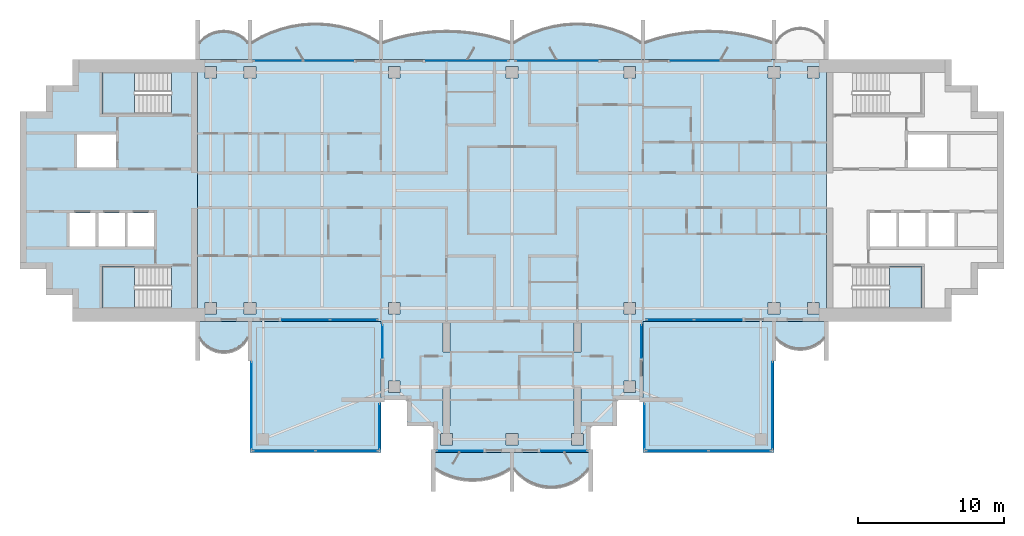
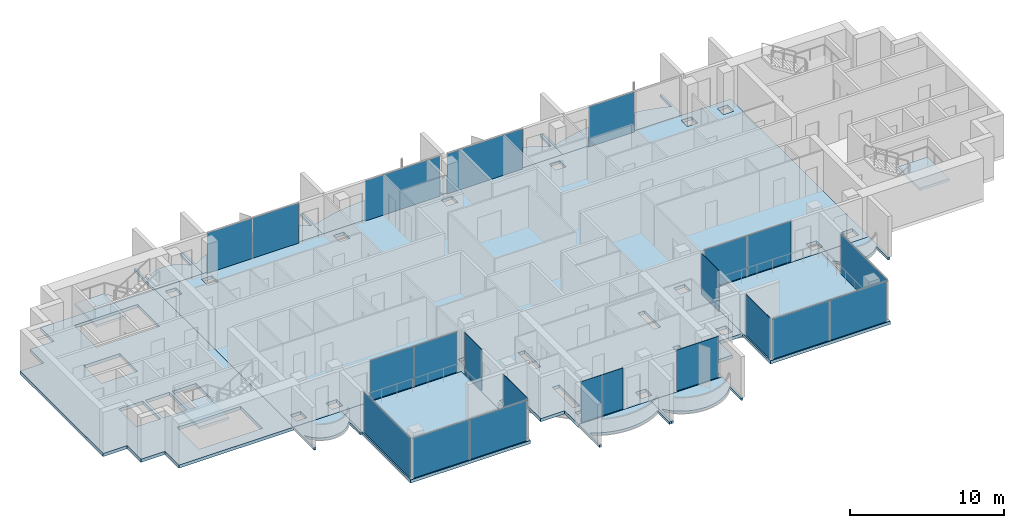
# One storey, part 5 of 16: 21 plates, 16 slabs, 19 elements without a shape of their own.
"""IFC4 building model written with IfcOpenShell, lengths in metres."""

from ifc_helpers import new_model, si_unit, direction, frame, origin, origin_2d, place, context, subcontext, project, spatial, polyline, rectangle, outline, extrude, material, layer, layer_set, type_object, element, aggregate, save


model = new_model("IFC4")

# Units and contexts
model_context = context("Model", 3, precision=1e-05, world=origin(), true_north=direction((0.0, 1.0)))
body_context = subcontext(model_context, "Body", "Model", "MODEL_VIEW")
ifc_project = project(units=[si_unit("LENGTHUNIT", "METRE"), si_unit("AREAUNIT", "SQUARE_METRE"), si_unit("VOLUMEUNIT", "CUBIC_METRE"), si_unit("PLANEANGLEUNIT", "RADIAN"), si_unit("MASSUNIT", "GRAM", prefix="KILO")], contexts=[model_context])

# Site, building, storey
site_placement = place(None, origin())
site = spatial("IfcSite", under=ifc_project, at=site_placement, CompositionType="ELEMENT")
building_placement = place(site_placement, origin())
building = spatial("IfcBuilding", under=site, at=building_placement, Name="Perihelion Cross Residences", CompositionType="ELEMENT")
storey_placement = place(building_placement, frame((0.0, 0.0, 274.5)))
storey = spatial("IfcBuildingStorey", under=building, at=storey_placement, Name="L70", CompositionType="ELEMENT", Elevation=274.5)

# Slabs
ifc_material_1 = material(Name="Concrete C40/50", Category="concrete")
ifc_layer_1 = layer(ifc_material_1, 0.199951171875)
ifc_layer_set_1 = layer_set([ifc_layer_1], Name="Balcony slab 200")
slab_type_1 = type_object("IfcSlabType", Name="Balcony slab 200", PredefinedType="FLOOR", material=ifc_layer_set_1)
slab_1_placement = place(storey_placement, frame((0.0, 0.0, -0.199951171875)))
element("IfcSlab", 1, at=slab_1_placement, inside=storey, type_object=slab_type_1, Name="Slab BK1 L70 east side north bay 2 balcony", PredefinedType="FLOOR", context=body_context, shape_type="SweptSolid", body=[
    extrude(outline(polyline([(18.0, 9.0), (9.0, 9.0), (9.0, 11.699951171875), (9.14990234375, 11.699951171875), (9.14990234375, 10.199951171875), (10.02001953125, 10.47509765625), (10.889892578125, 10.68505859375), (11.760009765625, 10.8330078125), (12.6298828125, 10.9208984375), (13.5, 10.949951171875), (14.3701171875, 10.9208984375), (15.239990234375, 10.8330078125), (16.110107421875, 10.68505859375), (16.97998046875, 10.47509765625), (17.85009765625, 10.199951171875), (17.85009765625, 11.699951171875), (18.0, 11.699951171875), (18.0, 9.0)])), origin(), (0.0, 0.0, 1.0), 0.199951171875),
])
slab_2_placement = place(storey_placement, frame((0.0, 0.0, -0.199951171875)))
element("IfcSlab", 2, at=slab_2_placement, inside=storey, type_object=slab_type_1, Name="Slab BK1 L70 north side east bay 1 balcony", PredefinedType="FLOOR", context=body_context, shape_type="SweptSolid", body=[
    extrude(outline(polyline([(9.0, 9.0), (0.0, 9.0), (0.0, 11.699951171875), (0.14990234375, 11.699951171875), (0.14990234375, 10.199951171875), (0.8193359375, 10.57666015625), (1.488525390625, 10.87646484375), (2.15771484375, 11.108154296875), (2.826904296875, 11.27734375), (3.49609375, 11.38818359375), (4.165283203125, 11.443115234375), (4.834716796875, 11.443115234375), (5.50390625, 11.38818359375), (6.173095703125, 11.27734375), (6.84228515625, 11.108154296875), (7.511474609375, 10.87646484375), (8.1806640625, 10.57666015625), (8.85009765625, 10.199951171875), (8.85009765625, 11.699951171875), (9.0, 11.699951171875), (9.0, 9.0)])), origin(), (0.0, 0.0, 1.0), 0.199951171875),
])
slab_3_placement = place(storey_placement, frame((0.0, 0.0, -0.199951171875)))
element("IfcSlab", 3, at=slab_3_placement, inside=storey, type_object=slab_type_1, Name="Slab BK1 L70 north side east bay 2 balcony", PredefinedType="FLOOR", context=body_context, shape_type="SweptSolid", body=[
    extrude(outline(polyline([(0.0, 9.0), (-9.0, 9.0), (-9.0, 11.699951171875), (-8.85009765625, 11.699951171875), (-8.85009765625, 10.199951171875), (-7.97998046875, 10.47509765625), (-7.110107421875, 10.68505859375), (-6.239990234375, 10.8330078125), (-5.3701171875, 10.9208984375), (-4.5, 10.949951171875), (-3.6298828125, 10.9208984375), (-2.760009765625, 10.8330078125), (-1.889892578125, 10.68505859375), (-1.02001953125, 10.47509765625), (-0.14990234375, 10.199951171875), (-0.14990234375, 11.699951171875), (0.0, 11.699951171875), (0.0, 9.0)])), origin(), (0.0, 0.0, 1.0), 0.199951171875),
])
slab_4_placement = place(storey_placement, frame((0.0, 0.0, -0.199951171875)))
element("IfcSlab", 4, at=slab_4_placement, inside=storey, type_object=slab_type_1, Name="Slab BK1 L70 west side north bay 1 balcony", PredefinedType="FLOOR", context=body_context, shape_type="SweptSolid", body=[
    extrude(outline(polyline([(-9.0, 9.0), (-18.0, 9.0), (-18.0, 11.699951171875), (-17.85009765625, 11.699951171875), (-17.85009765625, 10.199951171875), (-17.1806640625, 10.57666015625), (-16.511474609375, 10.87646484375), (-15.84228515625, 11.108154296875), (-15.173095703125, 11.27734375), (-14.50390625, 11.38818359375), (-13.834716796875, 11.443115234375), (-13.165283203125, 11.443115234375), (-12.49609375, 11.38818359375), (-11.826904296875, 11.27734375), (-11.15771484375, 11.108154296875), (-10.488525390625, 10.87646484375), (-9.8193359375, 10.57666015625), (-9.14990234375, 10.199951171875), (-9.14990234375, 11.699951171875), (-9.0, 11.699951171875), (-9.0, 9.0)])), origin(), (0.0, 0.0, 1.0), 0.199951171875),
])
slab_5_placement = place(storey_placement, frame((0.0, 0.0, -0.199951171875)))
element("IfcSlab", 5, at=slab_5_placement, inside=storey, type_object=slab_type_1, Name="Slab BK1 L70 west side north bay 2 balcony", PredefinedType="FLOOR", context=body_context, shape_type="SweptSolid", body=[
    extrude(outline(polyline([(-18.0, 9.0), (-21.60009765625, 9.0), (-21.60009765625, 11.699951171875), (-21.449951171875, 11.699951171875), (-21.449951171875, 10.199951171875), (-21.1201171875, 10.507568359375), (-20.7900390625, 10.71337890625), (-20.4599609375, 10.84814453125), (-20.1298828125, 10.925048828125), (-19.800048828125, 10.949951171875), (-19.469970703125, 10.925048828125), (-19.139892578125, 10.84814453125), (-18.81005859375, 10.71337890625), (-18.47998046875, 10.507568359375), (-18.14990234375, 10.199951171875), (-18.14990234375, 11.699951171875), (-18.0, 11.699951171875), (-18.0, 9.0)])), origin(), (0.0, 0.0, 1.0), 0.199951171875),
])
slab_6_placement = place(storey_placement, frame((0.0, 0.0, -0.199951171875)))
element("IfcSlab", 6, at=slab_6_placement, inside=storey, type_object=slab_type_1, Name="Slab BK1 L70 west side south bay 1 balcony", PredefinedType="FLOOR", context=body_context, shape_type="SweptSolid", body=[
    extrude(outline(polyline([(-21.60009765625, -9.0), (-18.0, -9.0), (-18.0, -11.699951171875), (-18.14990234375, -11.699951171875), (-18.14990234375, -10.199951171875), (-18.425048828125, -10.568603515625), (-18.699951171875, -10.806396484375), (-18.97509765625, -10.96875), (-19.25, -11.07568359375), (-19.52490234375, -11.136962890625), (-19.800048828125, -11.156982421875), (-20.074951171875, -11.136962890625), (-20.35009765625, -11.07568359375), (-20.625, -10.96875), (-20.89990234375, -10.806396484375), (-21.175048828125, -10.568603515625), (-21.449951171875, -10.199951171875), (-21.449951171875, -11.699951171875), (-21.60009765625, -11.699951171875), (-21.60009765625, -9.0)])), origin(), (0.0, 0.0, 1.0), 0.199951171875),
])
slab_7_placement = place(storey_placement, frame((0.0, 0.0, -0.199951171875)))
element("IfcSlab", 7, at=slab_7_placement, inside=storey, type_object=slab_type_1, Name="Slab BK1 L70 south tip south bay 1 balcony", PredefinedType="FLOOR", context=body_context, shape_type="SweptSolid", body=[
    extrude(outline(polyline([(-5.39990234375, -18.0), (0.0, -18.0), (0.0, -20.699951171875), (-0.14990234375, -20.699951171875), (-0.14990234375, -19.199951171875), (-0.659912109375, -19.4853515625), (-1.169921875, -19.694580078125), (-1.679931640625, -19.838134765625), (-2.18994140625, -19.92236328125), (-2.699951171875, -19.949951171875), (-3.2099609375, -19.92236328125), (-3.719970703125, -19.838134765625), (-4.22998046875, -19.694580078125), (-4.739990234375, -19.4853515625), (-5.25, -19.199951171875), (-5.25, -20.699951171875), (-5.39990234375, -20.699951171875), (-5.39990234375, -18.0)])), origin(), (0.0, 0.0, 1.0), 0.199951171875),
])
slab_8_placement = place(storey_placement, frame((0.0, 0.0, -0.199951171875)))
element("IfcSlab", 8, at=slab_8_placement, inside=storey, type_object=slab_type_1, Name="Slab BK1 L70 south tip south bay 2 balcony", PredefinedType="FLOOR", context=body_context, shape_type="SweptSolid", body=[
    extrude(outline(polyline([(0.0, -18.0), (5.39990234375, -18.0), (5.39990234375, -20.699951171875), (5.25, -20.699951171875), (5.25, -19.199951171875), (4.857666015625, -19.622314453125), (4.46533203125, -19.924072265625), (4.072998046875, -20.143310546875), (3.6806640625, -20.29736328125), (3.28857421875, -20.39599609375), (2.896240234375, -20.444091796875), (2.50390625, -20.444091796875), (2.111572265625, -20.39599609375), (1.71923828125, -20.29736328125), (1.326904296875, -20.143310546875), (0.9345703125, -19.924072265625), (0.542236328125, -19.622314453125), (0.14990234375, -19.199951171875), (0.14990234375, -20.699951171875), (0.0, -20.699951171875), (0.0, -18.0)])), origin(), (0.0, 0.0, 1.0), 0.199951171875),
])
slab_9_placement = place(storey_placement, frame((0.0, 0.0, -0.199951171875)))
element("IfcSlab", 9, at=slab_9_placement, inside=storey, type_object=slab_type_1, Name="Slab BK1 L70 east side south bay 2 balcony", PredefinedType="FLOOR", context=body_context, shape_type="SweptSolid", body=[
    extrude(outline(polyline([(18.0, -9.0), (21.60009765625, -9.0), (21.60009765625, -11.699951171875), (21.449951171875, -11.699951171875), (21.449951171875, -10.199951171875), (21.1201171875, -10.507568359375), (20.7900390625, -10.71337890625), (20.4599609375, -10.84814453125), (20.1298828125, -10.925048828125), (19.800048828125, -10.949951171875), (19.469970703125, -10.925048828125), (19.139892578125, -10.84814453125), (18.81005859375, -10.71337890625), (18.47998046875, -10.507568359375), (18.14990234375, -10.199951171875), (18.14990234375, -11.699951171875), (18.0, -11.699951171875), (18.0, -9.0)])), origin(), (0.0, 0.0, 1.0), 0.199951171875),
])

# Curtain wall, plate
ifc_material_2 = material(Name="Bronze anodised aluminium, tinted glazing", Category="aluminium")
curtain_wall_type_1 = type_object("IfcCurtainWallType", Name="CW1", PredefinedType="NOTDEFINED", material=ifc_material_2)
curtain_wall_1_placement = place(storey_placement, origin())
curtain_wall_1 = element("IfcCurtainWall", 10, at=curtain_wall_1_placement, inside=storey, type_object=curtain_wall_type_1, Name="Curtain wall CW1 L70 east side north bay 2", PredefinedType="NOTDEFINED")
ifc_material_3 = material(Name="Tinted laminated glass", Category="glass")
ifc_layer_2 = layer(ifc_material_3, 0.028076171875)
ifc_layer_set_2 = layer_set([ifc_layer_2], Name="CW1 panel")
plate_type_1 = type_object("IfcPlateType", Name="CW1 panel", PredefinedType="CURTAIN_PANEL", material=ifc_layer_set_2)
plate_1_placement = place(storey_placement, frame((12.610107421875, 8.89990234375, 0.0), z_axis=(0.0, 0.0, 1.0), x_axis=(-1.0, 0.0, 0.0)))
plate_1 = element("IfcPlate", 11, at=plate_1_placement, type_object=plate_type_1, Name="CW1 panel 2", PredefinedType="CURTAIN_PANEL", context=body_context, shape_type="SweptSolid", body=[
    extrude(rectangle(XDim=3.419921875, YDim=0.028076171875, at=origin_2d()), origin(), (0.0, 0.0, 1.0), 3.18994140625),
])
aggregate(curtain_wall_1, [plate_1])

curtain_wall_2_placement = place(storey_placement, origin())
curtain_wall_2 = element("IfcCurtainWall", 12, at=curtain_wall_2_placement, inside=storey, type_object=curtain_wall_type_1, Name="Curtain wall CW1 L70 north side east bay 1", PredefinedType="NOTDEFINED")
plate_2_placement = place(storey_placement, frame((3.080078125, 8.89990234375, 0.0), z_axis=(0.0, 0.0, 1.0), x_axis=(-1.0, 0.0, 0.0)))
plate_2 = element("IfcPlate", 13, at=plate_2_placement, type_object=plate_type_1, Name="CW1 panel 1", PredefinedType="CURTAIN_PANEL", context=body_context, shape_type="SweptSolid", body=[
    extrude(rectangle(XDim=5.639892578125, YDim=0.028076171875, at=origin_2d()), origin(), (0.0, 0.0, 1.0), 3.18994140625),
])
aggregate(curtain_wall_2, [plate_2])

curtain_wall_3_placement = place(storey_placement, origin())
curtain_wall_3 = element("IfcCurtainWall", 14, at=curtain_wall_3_placement, inside=storey, type_object=curtain_wall_type_1, Name="Curtain wall CW1 L70 north side east bay 2", PredefinedType="NOTDEFINED")
plate_3_placement = place(storey_placement, frame((-3.080078125, 8.89990234375, 0.0), z_axis=(0.0, 0.0, 1.0), x_axis=(-1.0, 0.0, 0.0)))
plate_3 = element("IfcPlate", 15, at=plate_3_placement, type_object=plate_type_1, Name="CW1 panel 1", PredefinedType="CURTAIN_PANEL", context=body_context, shape_type="SweptSolid", body=[
    extrude(rectangle(XDim=5.639892578125, YDim=0.028076171875, at=origin_2d()), origin(), (0.0, 0.0, 1.0), 3.18994140625),
])
aggregate(curtain_wall_3, [plate_3])

# Curtain wall, plates
curtain_wall_4_placement = place(storey_placement, origin())
curtain_wall_4 = element("IfcCurtainWall", 16, at=curtain_wall_4_placement, inside=storey, type_object=curtain_wall_type_1, Name="Curtain wall CW1 L70 west side north bay 1", PredefinedType="NOTDEFINED")
plate_4_placement = place(storey_placement, frame((-12.610107421875, 8.89990234375, 0.0), z_axis=(0.0, 0.0, 1.0), x_axis=(-1.0, 0.0, 0.0)))
plate_4 = element("IfcPlate", 17, at=plate_4_placement, type_object=plate_type_1, Name="CW1 panel 1", PredefinedType="CURTAIN_PANEL", context=body_context, shape_type="SweptSolid", body=[
    extrude(rectangle(XDim=3.419921875, YDim=0.028076171875, at=origin_2d()), origin(), (0.0, 0.0, 1.0), 3.18994140625),
])
plate_5_placement = place(storey_placement, frame((-16.06005859375, 8.89990234375, 0.0), z_axis=(0.0, 0.0, 1.0), x_axis=(-1.0, 0.0, 0.0)))
plate_5 = element("IfcPlate", 18, at=plate_5_placement, type_object=plate_type_1, Name="CW1 panel 2", PredefinedType="CURTAIN_PANEL", context=body_context, shape_type="SweptSolid", body=[
    extrude(rectangle(XDim=3.360107421875, YDim=0.028076171875, at=origin_2d()), origin(), (0.0, 0.0, 1.0), 3.18994140625),
])
aggregate(curtain_wall_4, [plate_4, plate_5])

curtain_wall_5_placement = place(storey_placement, origin())
curtain_wall_5 = element("IfcCurtainWall", 19, at=curtain_wall_5_placement, inside=storey, type_object=curtain_wall_type_1, Name="Curtain wall CW1 L70 west side south bay 2", PredefinedType="NOTDEFINED")
plate_6_placement = place(storey_placement, frame((-14.1650390625, -8.89990234375, 0.0), z_axis=(0.0, 0.0, 1.0), x_axis=(1.0, 0.0, 0.0)))
plate_6 = element("IfcPlate", 20, at=plate_6_placement, type_object=plate_type_1, Name="CW1 panel 1", PredefinedType="CURTAIN_PANEL", context=body_context, shape_type="SweptSolid", body=[
    extrude(rectangle(XDim=3.27001953125, YDim=0.028076171875, at=origin_2d()), origin(), (0.0, 0.0, 1.0), 3.18994140625),
])
plate_7_placement = place(storey_placement, frame((-10.864990234375, -8.89990234375, 0.0), z_axis=(0.0, 0.0, 1.0), x_axis=(1.0, 0.0, 0.0)))
plate_7 = element("IfcPlate", 21, at=plate_7_placement, type_object=plate_type_1, Name="CW1 panel 2", PredefinedType="CURTAIN_PANEL", context=body_context, shape_type="SweptSolid", body=[
    extrude(rectangle(XDim=3.2099609375, YDim=0.028076171875, at=origin_2d()), origin(), (0.0, 0.0, 1.0), 3.18994140625),
])
aggregate(curtain_wall_5, [plate_6, plate_7])

# Curtain wall, plate
curtain_wall_6_placement = place(storey_placement, origin())
curtain_wall_6 = element("IfcCurtainWall", 22, at=curtain_wall_6_placement, inside=storey, type_object=curtain_wall_type_1, Name="Curtain wall CW1 L70 south side west bay 1", PredefinedType="NOTDEFINED")
plate_8_placement = place(storey_placement, frame((-8.89990234375, -10.3798828125, 0.0), z_axis=(0.0, 0.0, 1.0), x_axis=(0.0, -1.0, 0.0)))
plate_8 = element("IfcPlate", 23, at=plate_8_placement, type_object=plate_type_1, Name="CW1 panel 1", PredefinedType="CURTAIN_PANEL", context=body_context, shape_type="SweptSolid", body=[
    extrude(rectangle(XDim=2.239990234375, YDim=0.028076171875, at=origin_2d()), origin(), (0.0, 0.0, 1.0), 3.25),
])
aggregate(curtain_wall_6, [plate_8])

curtain_wall_7_placement = place(storey_placement, origin())
curtain_wall_7 = element("IfcCurtainWall", 24, at=curtain_wall_7_placement, inside=storey, type_object=curtain_wall_type_1, Name="Curtain wall CW1 L70 south tip south bay 1", PredefinedType="NOTDEFINED")
plate_9_placement = place(storey_placement, frame((-3.570068359375, -17.89990234375, 0.0), z_axis=(0.0, 0.0, 1.0), x_axis=(1.0, 0.0, 0.0)))
plate_9 = element("IfcPlate", 25, at=plate_9_placement, type_object=plate_type_1, Name="CW1 panel 1", PredefinedType="CURTAIN_PANEL", context=body_context, shape_type="SweptSolid", body=[
    extrude(rectangle(XDim=3.139892578125, YDim=0.028076171875, at=origin_2d()), origin(), (0.0, 0.0, 1.0), 3.25),
])
aggregate(curtain_wall_7, [plate_9])

curtain_wall_8_placement = place(storey_placement, origin())
curtain_wall_8 = element("IfcCurtainWall", 26, at=curtain_wall_8_placement, inside=storey, type_object=curtain_wall_type_1, Name="Curtain wall CW1 L70 south tip south bay 2", PredefinedType="NOTDEFINED")
plate_10_placement = place(storey_placement, frame((3.570068359375, -17.89990234375, 0.0), z_axis=(0.0, 0.0, 1.0), x_axis=(1.0, 0.0, 0.0)))
plate_10 = element("IfcPlate", 27, at=plate_10_placement, type_object=plate_type_1, Name="CW1 panel 1", PredefinedType="CURTAIN_PANEL", context=body_context, shape_type="SweptSolid", body=[
    extrude(rectangle(XDim=3.139892578125, YDim=0.028076171875, at=origin_2d()), origin(), (0.0, 0.0, 1.0), 3.25),
])
aggregate(curtain_wall_8, [plate_10])

curtain_wall_9_placement = place(storey_placement, origin())
curtain_wall_9 = element("IfcCurtainWall", 28, at=curtain_wall_9_placement, inside=storey, type_object=curtain_wall_type_1, Name="Curtain wall CW1 L70 south side east bay 1", PredefinedType="NOTDEFINED")
plate_11_placement = place(storey_placement, frame((8.89990234375, -10.3798828125, 0.0), z_axis=(0.0, 0.0, 1.0), x_axis=(0.0, 1.0, 0.0)))
plate_11 = element("IfcPlate", 29, at=plate_11_placement, type_object=plate_type_1, Name="CW1 panel 1", PredefinedType="CURTAIN_PANEL", context=body_context, shape_type="SweptSolid", body=[
    extrude(rectangle(XDim=2.239990234375, YDim=0.028076171875, at=origin_2d()), origin(), (0.0, 0.0, 1.0), 3.25),
])
aggregate(curtain_wall_9, [plate_11])

# Curtain wall, plates
curtain_wall_10_placement = place(storey_placement, origin())
curtain_wall_10 = element("IfcCurtainWall", 30, at=curtain_wall_10_placement, inside=storey, type_object=curtain_wall_type_1, Name="Curtain wall CW1 L70 east side south bay 1", PredefinedType="NOTDEFINED")
plate_12_placement = place(storey_placement, frame((10.864990234375, -8.89990234375, 0.0), z_axis=(0.0, 0.0, 1.0), x_axis=(1.0, 0.0, 0.0)))
plate_12 = element("IfcPlate", 31, at=plate_12_placement, type_object=plate_type_1, Name="CW1 panel 1", PredefinedType="CURTAIN_PANEL", context=body_context, shape_type="SweptSolid", body=[
    extrude(rectangle(XDim=3.2099609375, YDim=0.028076171875, at=origin_2d()), origin(), (0.0, 0.0, 1.0), 3.18994140625),
])
plate_13_placement = place(storey_placement, frame((14.1650390625, -8.89990234375, 0.0), z_axis=(0.0, 0.0, 1.0), x_axis=(1.0, 0.0, 0.0)))
plate_13 = element("IfcPlate", 32, at=plate_13_placement, type_object=plate_type_1, Name="CW1 panel 2", PredefinedType="CURTAIN_PANEL", context=body_context, shape_type="SweptSolid", body=[
    extrude(rectangle(XDim=3.27001953125, YDim=0.028076171875, at=origin_2d()), origin(), (0.0, 0.0, 1.0), 3.18994140625),
])
aggregate(curtain_wall_10, [plate_12, plate_13])

# Curtain wall, plate
ifc_material_4 = material(Name="Bronze anodised aluminium, tinted glazing", Category="aluminium")
curtain_wall_type_2 = type_object("IfcCurtainWallType", Name="CW4", PredefinedType="NOTDEFINED", material=ifc_material_4)
curtain_wall_11_placement = place(storey_placement, origin())
curtain_wall_11 = element("IfcCurtainWall", 33, at=curtain_wall_11_placement, inside=storey, type_object=curtain_wall_type_2, Name="Curtain wall CW4 L70 pocket south-east 1 1", PredefinedType="NOTDEFINED")
ifc_material_5 = material(Name="Tinted laminated glass", Category="glass")
ifc_layer_3 = layer(ifc_material_5, 0.030029296875)
ifc_layer_set_3 = layer_set([ifc_layer_3], Name="CW4 panel")
plate_type_2 = type_object("IfcPlateType", Name="CW4 panel", PredefinedType="CURTAIN_PANEL", material=ifc_layer_set_3)
plate_14_placement = place(storey_placement, frame((17.89990234375, -14.784912109375, 0.0), z_axis=(0.0, 0.0, 1.0), x_axis=(0.0, -1.0, 0.0)))
plate_14 = element("IfcPlate", 34, at=plate_14_placement, type_object=plate_type_2, Name="CW4 panel 1", PredefinedType="CURTAIN_PANEL", context=body_context, shape_type="SweptSolid", body=[
    extrude(rectangle(XDim=5.969970703125, YDim=0.030029296875, at=origin_2d()), origin(), (0.0, 0.0, 1.0), 3.18994140625),
])
aggregate(curtain_wall_11, [plate_14])

# Curtain wall, plates
curtain_wall_12_placement = place(storey_placement, origin())
curtain_wall_12 = element("IfcCurtainWall", 35, at=curtain_wall_12_placement, inside=storey, type_object=curtain_wall_type_2, Name="Curtain wall CW4 L70 pocket south-east 1 2", PredefinedType="NOTDEFINED")
plate_15_placement = place(storey_placement, frame((15.64990234375, -17.89990234375, 0.0), z_axis=(0.0, 0.0, 1.0), x_axis=(-1.0, 0.0, 0.0)))
plate_15 = element("IfcPlate", 36, at=plate_15_placement, type_object=plate_type_2, Name="CW4 panel 1", PredefinedType="CURTAIN_PANEL", context=body_context, shape_type="SweptSolid", body=[
    extrude(rectangle(XDim=4.239990234375, YDim=0.030029296875, at=origin_2d()), origin(), (0.0, 0.0, 1.0), 3.18994140625),
])
plate_16_placement = place(storey_placement, frame((11.35009765625, -17.89990234375, 0.0), z_axis=(0.0, 0.0, 1.0), x_axis=(-1.0, 0.0, 0.0)))
plate_16 = element("IfcPlate", 37, at=plate_16_placement, type_object=plate_type_2, Name="CW4 panel 2", PredefinedType="CURTAIN_PANEL", context=body_context, shape_type="SweptSolid", body=[
    extrude(rectangle(XDim=4.239990234375, YDim=0.030029296875, at=origin_2d()), origin(), (0.0, 0.0, 1.0), 3.18994140625),
])
aggregate(curtain_wall_12, [plate_15, plate_16])

# Curtain wall, plate
curtain_wall_13_placement = place(storey_placement, origin())
curtain_wall_13 = element("IfcCurtainWall", 38, at=curtain_wall_13_placement, inside=storey, type_object=curtain_wall_type_2, Name="Curtain wall CW4 L70 pocket south-east 1 3", PredefinedType="NOTDEFINED")
plate_17_placement = place(storey_placement, frame((9.10009765625, -16.2294921875, 0.0), z_axis=(0.0, 0.0, 1.0), x_axis=(0.0, 1.0, 0.0)))
plate_17 = element("IfcPlate", 39, at=plate_17_placement, type_object=plate_type_2, Name="CW4 panel 1", PredefinedType="CURTAIN_PANEL", context=body_context, shape_type="SweptSolid", body=[
    extrude(rectangle(XDim=3.0810546875, YDim=0.030029296875, at=origin_2d()), origin(), (0.0, 0.0, 1.0), 3.25),
])
aggregate(curtain_wall_13, [plate_17])

curtain_wall_14_placement = place(storey_placement, origin())
curtain_wall_14 = element("IfcCurtainWall", 40, at=curtain_wall_14_placement, inside=storey, type_object=curtain_wall_type_2, Name="Curtain wall CW4 L70 pocket south-west 1 1", PredefinedType="NOTDEFINED")
plate_18_placement = place(storey_placement, frame((-9.10009765625, -16.2294921875, 0.0), z_axis=(0.0, 0.0, 1.0), x_axis=(0.0, -1.0, 0.0)))
plate_18 = element("IfcPlate", 41, at=plate_18_placement, type_object=plate_type_2, Name="CW4 panel 1", PredefinedType="CURTAIN_PANEL", context=body_context, shape_type="SweptSolid", body=[
    extrude(rectangle(XDim=3.0810546875, YDim=0.030029296875, at=origin_2d()), origin(), (0.0, 0.0, 1.0), 3.25),
])
aggregate(curtain_wall_14, [plate_18])

# Curtain wall, plates
curtain_wall_15_placement = place(storey_placement, origin())
curtain_wall_15 = element("IfcCurtainWall", 42, at=curtain_wall_15_placement, inside=storey, type_object=curtain_wall_type_2, Name="Curtain wall CW4 L70 pocket south-west 1 2", PredefinedType="NOTDEFINED")
plate_19_placement = place(storey_placement, frame((-11.35009765625, -17.89990234375, 0.0), z_axis=(0.0, 0.0, 1.0), x_axis=(-1.0, 0.0, 0.0)))
plate_19 = element("IfcPlate", 43, at=plate_19_placement, type_object=plate_type_2, Name="CW4 panel 1", PredefinedType="CURTAIN_PANEL", context=body_context, shape_type="SweptSolid", body=[
    extrude(rectangle(XDim=4.239990234375, YDim=0.030029296875, at=origin_2d()), origin(), (0.0, 0.0, 1.0), 3.18994140625),
])
plate_20_placement = place(storey_placement, frame((-15.64990234375, -17.89990234375, 0.0), z_axis=(0.0, 0.0, 1.0), x_axis=(-1.0, 0.0, 0.0)))
plate_20 = element("IfcPlate", 44, at=plate_20_placement, type_object=plate_type_2, Name="CW4 panel 2", PredefinedType="CURTAIN_PANEL", context=body_context, shape_type="SweptSolid", body=[
    extrude(rectangle(XDim=4.239990234375, YDim=0.030029296875, at=origin_2d()), origin(), (0.0, 0.0, 1.0), 3.18994140625),
])
aggregate(curtain_wall_15, [plate_19, plate_20])

# Curtain wall, plate
curtain_wall_16_placement = place(storey_placement, origin())
curtain_wall_16 = element("IfcCurtainWall", 45, at=curtain_wall_16_placement, inside=storey, type_object=curtain_wall_type_2, Name="Curtain wall CW4 L70 pocket south-west 1 3", PredefinedType="NOTDEFINED")
plate_21_placement = place(storey_placement, frame((-17.89990234375, -14.784912109375, 0.0), z_axis=(0.0, 0.0, 1.0), x_axis=(0.0, 1.0, 0.0)))
plate_21 = element("IfcPlate", 46, at=plate_21_placement, type_object=plate_type_2, Name="CW4 panel 1", PredefinedType="CURTAIN_PANEL", context=body_context, shape_type="SweptSolid", body=[
    extrude(rectangle(XDim=5.969970703125, YDim=0.030029296875, at=origin_2d()), origin(), (0.0, 0.0, 1.0), 3.18994140625),
])
aggregate(curtain_wall_16, [plate_21])

# Slab
ifc_material_6 = material(Name="Concrete C40/50", Category="concrete")
ifc_layer_4 = layer(ifc_material_6, 0.25)
ifc_layer_set_4 = layer_set([ifc_layer_4], Name="Core floor slab 250")
slab_type_2 = type_object("IfcSlabType", Name="Core floor slab 250", PredefinedType="FLOOR", material=ifc_layer_set_4)
slab_10_placement = place(storey_placement, frame((0.0, 0.0, -0.25)))
element("IfcSlab", 47, at=slab_10_placement, inside=storey, type_object=slab_type_2, Name="West core floor slab", PredefinedType="FLOOR", context=body_context, shape_type="SweptSolid", body=[
    extrude(outline(polyline([(-30.199951171875, 7.199951171875), (-32.0, 7.199951171875), (-32.0, 5.39990234375), (-33.800048828125, 5.39990234375), (-33.800048828125, -5.39990234375), (-32.0, -5.39990234375), (-32.0, -7.199951171875), (-30.199951171875, -7.199951171875), (-30.199951171875, -9.0), (-21.60009765625, -9.0), (-21.60009765625, 9.0), (-30.199951171875, 9.0), (-30.199951171875, 7.199951171875)]), holes=[polyline([(-28.14990234375, -8.10009765625), (-28.14990234375, -5.25), (-23.405029296875, -5.25), (-23.405029296875, -8.10009765625), (-28.14990234375, -8.10009765625)]), polyline([(-24.60009765625, -1.550048828125), (-24.60009765625, -3.85009765625), (-26.39990234375, -3.85009765625), (-26.39990234375, -1.550048828125), (-24.60009765625, -1.550048828125)]), polyline([(-26.60009765625, -1.550048828125), (-26.60009765625, -3.85009765625), (-28.39990234375, -3.85009765625), (-28.39990234375, -1.550048828125), (-26.60009765625, -1.550048828125)]), polyline([(-28.60009765625, -3.85009765625), (-30.39990234375, -3.85009765625), (-30.39990234375, -1.550048828125), (-28.60009765625, -1.550048828125), (-28.60009765625, -3.85009765625)]), polyline([(-27.199951171875, 3.85009765625), (-27.199951171875, 1.550048828125), (-29.89990234375, 1.550048828125), (-29.89990234375, 3.85009765625), (-27.199951171875, 3.85009765625)]), polyline([(-23.405029296875, 5.25), (-28.14990234375, 5.25), (-28.14990234375, 8.10009765625), (-23.405029296875, 8.10009765625), (-23.405029296875, 5.25)])]), origin(), (0.0, 0.0, 1.0), 0.25),
])

# Stair, slab
ifc_material_7 = material(Name="Concrete C40/50", Category="concrete")
stair_type = type_object("IfcStairType", Name="Exit stair, half-turn", PredefinedType="HALF_TURN_STAIR", material=ifc_material_7)
stair_1_placement = place(storey_placement, origin())
stair_1 = element("IfcStair", 48, at=stair_1_placement, inside=storey, type_object=stair_type, Name="L70 East core exit stair 2", PredefinedType="HALF_TURN_STAIR")
ifc_material_8 = material(Name="Concrete C40/50", Category="concrete")
ifc_layer_5 = layer(ifc_material_8, 0.199951171875)
ifc_layer_set_5 = layer_set([ifc_layer_5], Name="Exit stair landing 200")
slab_type_3 = type_object("IfcSlabType", Name="Exit stair landing 200", PredefinedType="LANDING", material=ifc_layer_set_5)
slab_11_placement = place(storey_placement, frame((0.0, 0.0, 1.550048828125)))
slab_11 = element("IfcSlab", 49, at=slab_11_placement, type_object=slab_type_3, Name="ST-E2 landing 1", PredefinedType="LANDING", context=body_context, shape_type="SweptSolid", body=[
    extrude(outline(polyline([(25.919921875, -8.10009765625), (28.14990234375, -8.10009765625), (28.14990234375, -5.25), (25.919921875, -5.25), (25.919921875, -8.10009765625)])), origin(), (0.0, 0.0, 1.0), 0.199951171875),
])
aggregate(stair_1, [slab_11])

stair_2_placement = place(storey_placement, origin())
stair_2 = element("IfcStair", 50, at=stair_2_placement, inside=storey, type_object=stair_type, Name="L70 West core exit stair 1", PredefinedType="HALF_TURN_STAIR")
slab_12_placement = place(storey_placement, frame((0.0, 0.0, 1.550048828125)))
slab_12 = element("IfcSlab", 51, at=slab_12_placement, type_object=slab_type_3, Name="ST-W1 landing 1", PredefinedType="LANDING", context=body_context, shape_type="SweptSolid", body=[
    extrude(outline(polyline([(-25.919921875, 8.10009765625), (-28.14990234375, 8.10009765625), (-28.14990234375, 5.25), (-25.919921875, 5.25), (-25.919921875, 8.10009765625)])), origin(), (0.0, 0.0, 1.0), 0.199951171875),
])
aggregate(stair_2, [slab_12])

stair_3_placement = place(storey_placement, origin())
stair_3 = element("IfcStair", 52, at=stair_3_placement, inside=storey, type_object=stair_type, Name="L70 West core exit stair 2", PredefinedType="HALF_TURN_STAIR")
slab_13_placement = place(storey_placement, frame((0.0, 0.0, 1.550048828125)))
slab_13 = element("IfcSlab", 53, at=slab_13_placement, type_object=slab_type_3, Name="ST-W2 landing 1", PredefinedType="LANDING", context=body_context, shape_type="SweptSolid", body=[
    extrude(outline(polyline([(-25.919921875, -5.25), (-28.14990234375, -5.25), (-28.14990234375, -8.10009765625), (-25.919921875, -8.10009765625), (-25.919921875, -5.25)])), origin(), (0.0, 0.0, 1.0), 0.199951171875),
])
aggregate(stair_3, [slab_13])

# Slabs
ifc_material_9 = material(Name="Concrete C50/60", Category="concrete")
ifc_layer_6 = layer(ifc_material_9, 0.25)
ifc_layer_set_6 = layer_set([ifc_layer_6], Name="Residential floor post-tensioned slab concrete C50/60")
slab_type_4 = type_object("IfcSlabType", Name="Residential floor post-tensioned slab concrete C50/60", PredefinedType="FLOOR", material=ifc_layer_set_6)
slab_14_placement = place(storey_placement, frame((0.0, 0.0, -0.25)))
element("IfcSlab", 54, at=slab_14_placement, inside=storey, type_object=slab_type_4, Name="Slab SL8 L70 1 no. 1", PredefinedType="FLOOR", context=body_context, shape_type="SweptSolid", body=[
    extrude(outline(polyline([(-9.0, 9.0), (9.0, 9.0), (21.60009765625, 9.0), (21.60009765625, -9.0), (9.0, -9.0), (9.0, -14.39990234375), (7.199951171875, -14.39990234375), (7.199951171875, -16.199951171875), (5.39990234375, -16.199951171875), (5.39990234375, -18.0), (-5.39990234375, -18.0), (-5.39990234375, -16.199951171875), (-7.199951171875, -16.199951171875), (-7.199951171875, -14.39990234375), (-9.0, -14.39990234375), (-9.0, -9.0), (-21.60009765625, -9.0), (-21.60009765625, 9.0), (-9.0, 9.0)]), holes=[polyline([(-4.10009765625, -16.699951171875), (-4.89990234375, -16.699951171875), (-4.89990234375, -17.5), (-4.10009765625, -17.5), (-4.10009765625, -16.699951171875)]), polyline([(0.39990234375, -17.5), (0.39990234375, -16.699951171875), (-0.39990234375, -16.699951171875), (-0.39990234375, -17.5), (0.39990234375, -17.5)]), polyline([(-4.25, -16.199951171875), (-4.25, -13.5), (-4.75, -13.5), (-4.75, -16.199951171875), (-4.25, -16.199951171875)]), polyline([(-7.699951171875, -13.10009765625), (-8.5, -13.10009765625), (-8.5, -13.89990234375), (-7.699951171875, -13.89990234375), (-7.699951171875, -13.10009765625)]), polyline([(-4.25, -11.10009765625), (-4.25, -9.0), (-4.75, -9.0), (-4.75, -11.10009765625), (-4.25, -11.10009765625)]), polyline([(-20.300048828125, -8.5), (-20.300048828125, -7.699951171875), (-21.10009765625, -7.699951171875), (-21.10009765625, -8.5), (-20.300048828125, -8.5)]), polyline([(-17.60009765625, -7.699951171875), (-18.39990234375, -7.699951171875), (-18.39990234375, -8.5), (-17.60009765625, -8.5), (-17.60009765625, -7.699951171875)]), polyline([(-7.699951171875, -8.5), (-7.699951171875, -7.699951171875), (-8.5, -7.699951171875), (-8.5, -8.5), (-7.699951171875, -8.5)]), polyline([(-20.300048828125, 8.5), (-21.10009765625, 8.5), (-21.10009765625, 7.699951171875), (-20.300048828125, 7.699951171875), (-20.300048828125, 8.5)]), polyline([(-17.60009765625, 7.699951171875), (-17.60009765625, 8.5), (-18.39990234375, 8.5), (-18.39990234375, 7.699951171875), (-17.60009765625, 7.699951171875)]), polyline([(-7.699951171875, 7.699951171875), (-7.699951171875, 8.5), (-8.5, 8.5), (-8.5, 7.699951171875), (-7.699951171875, 7.699951171875)]), polyline([(4.89990234375, -16.699951171875), (4.10009765625, -16.699951171875), (4.10009765625, -17.5), (4.89990234375, -17.5), (4.89990234375, -16.699951171875)]), polyline([(4.75, -16.199951171875), (4.75, -13.5), (4.25, -13.5), (4.25, -16.199951171875), (4.75, -16.199951171875)]), polyline([(8.5, -13.89990234375), (8.5, -13.10009765625), (7.699951171875, -13.10009765625), (7.699951171875, -13.89990234375), (8.5, -13.89990234375)]), polyline([(4.75, -9.0), (4.25, -9.0), (4.25, -11.10009765625), (4.75, -11.10009765625), (4.75, -9.0)]), polyline([(8.5, -8.5), (8.5, -7.699951171875), (7.699951171875, -7.699951171875), (7.699951171875, -8.5), (8.5, -8.5)]), polyline([(18.39990234375, -8.5), (18.39990234375, -7.699951171875), (17.60009765625, -7.699951171875), (17.60009765625, -8.5), (18.39990234375, -8.5)]), polyline([(21.10009765625, -7.699951171875), (20.300048828125, -7.699951171875), (20.300048828125, -8.5), (21.10009765625, -8.5), (21.10009765625, -7.699951171875)]), polyline([(0.39990234375, 7.699951171875), (0.39990234375, 8.5), (-0.39990234375, 8.5), (-0.39990234375, 7.699951171875), (0.39990234375, 7.699951171875)]), polyline([(8.5, 8.5), (7.699951171875, 8.5), (7.699951171875, 7.699951171875), (8.5, 7.699951171875), (8.5, 8.5)]), polyline([(18.39990234375, 7.699951171875), (18.39990234375, 8.5), (17.60009765625, 8.5), (17.60009765625, 7.699951171875), (18.39990234375, 7.699951171875)]), polyline([(21.10009765625, 7.699951171875), (21.10009765625, 8.5), (20.300048828125, 8.5), (20.300048828125, 7.699951171875), (21.10009765625, 7.699951171875)])]), origin(), (0.0, 0.0, 1.0), 0.25),
])
ifc_material_10 = material(Name="Concrete C40/50", Category="concrete")
ifc_layer_7 = layer(ifc_material_10, 0.25)
ifc_layer_set_7 = layer_set([ifc_layer_7], Name="Winter garden slab")
slab_type_5 = type_object("IfcSlabType", Name="Winter garden slab", PredefinedType="FLOOR", material=ifc_layer_set_7)
slab_15_placement = place(storey_placement, frame((0.0, 0.0, -0.25)))
element("IfcSlab", 55, at=slab_15_placement, inside=storey, type_object=slab_type_5, Name="Slab BK3 L70 pocket south-west", PredefinedType="FLOOR", context=body_context, shape_type="SweptSolid", body=[
    extrude(outline(polyline([(-9.0, -18.0), (-9.0, -9.0), (-18.0, -9.0), (-18.0, -18.0), (-9.0, -18.0)])), origin(), (0.0, 0.0, 1.0), 0.25),
])
slab_16_placement = place(storey_placement, frame((0.0, 0.0, -0.25)))
element("IfcSlab", 56, at=slab_16_placement, inside=storey, type_object=slab_type_5, Name="Slab BK3 L70 pocket south-east", PredefinedType="FLOOR", context=body_context, shape_type="SweptSolid", body=[
    extrude(outline(polyline([(18.0, -18.0), (18.0, -9.0), (9.0, -9.0), (9.0, -18.0), (18.0, -18.0)])), origin(), (0.0, 0.0, 1.0), 0.25),
])

save(model, "model.ifc")
